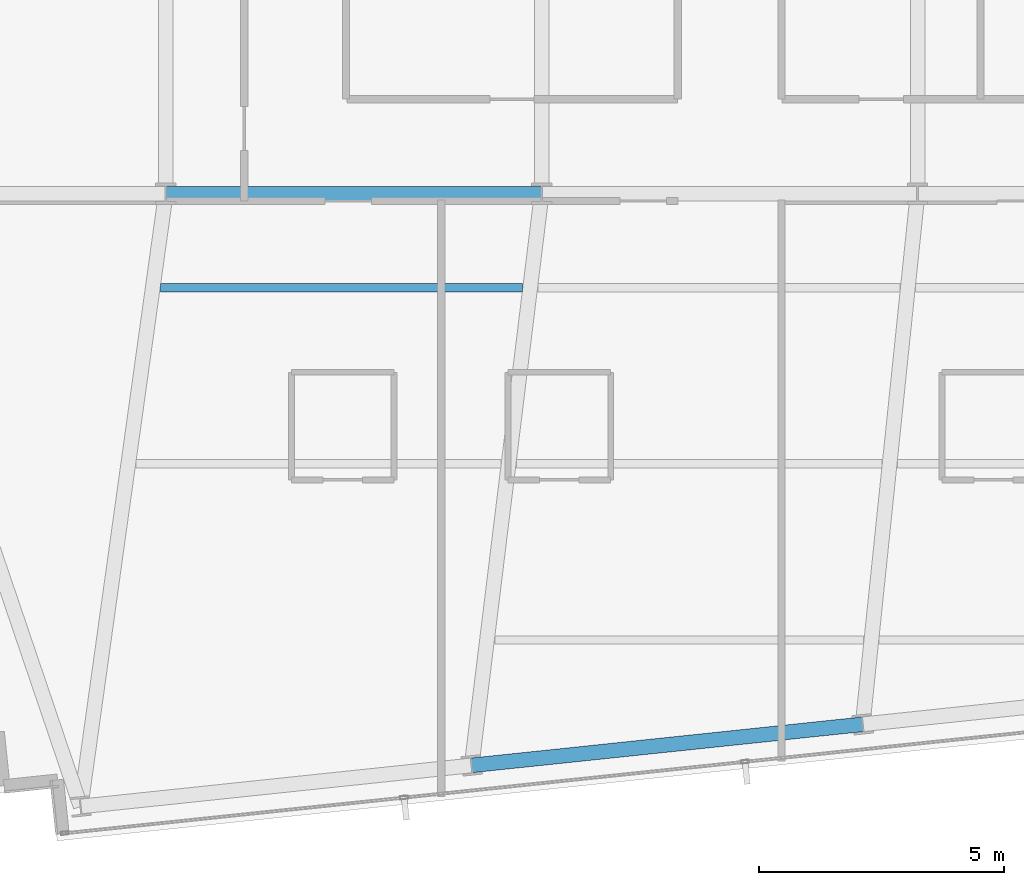
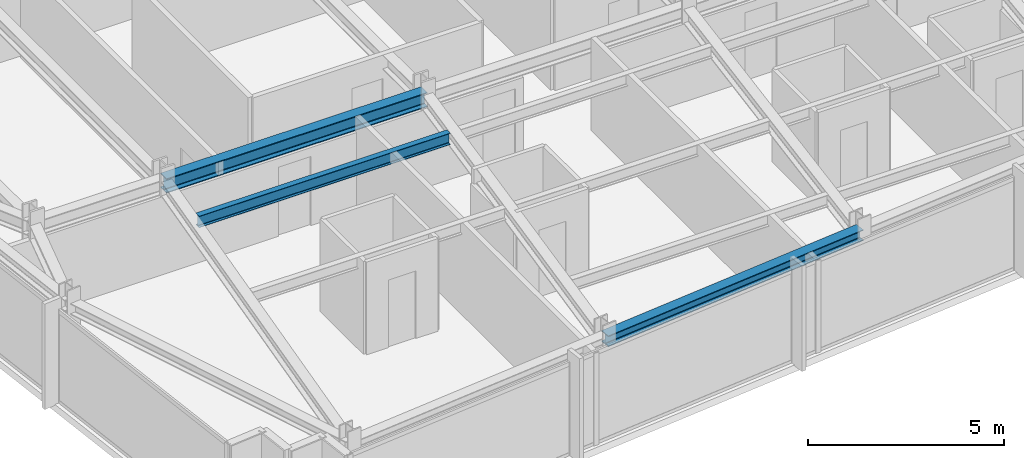
# One storey, part 6 of 33: 3 beams.
"""IFC4 building model written with IfcOpenShell, lengths in metres."""

from ifc_helpers import new_model, si_unit, direction, frame, origin, origin_2d, place, context, subcontext, project, spatial, i_section, extrude, material, material_profile, profile_set, type_object, element, save


model = new_model("IFC4")

# Units and contexts
model_context = context("Model", 3, precision=1e-05, world=origin(), true_north=direction((0.0, 1.0)))
body_context = subcontext(model_context, "Body", "Model", "MODEL_VIEW")
ifc_project = project(units=[si_unit("LENGTHUNIT", "METRE"), si_unit("AREAUNIT", "SQUARE_METRE"), si_unit("VOLUMEUNIT", "CUBIC_METRE"), si_unit("PLANEANGLEUNIT", "RADIAN"), si_unit("MASSUNIT", "GRAM", prefix="KILO")], contexts=[model_context])

# Site, building, storey
site_placement = place(None, origin())
site = spatial("IfcSite", under=ifc_project, at=site_placement, CompositionType="ELEMENT")
building_placement = place(site_placement, origin())
building = spatial("IfcBuilding", under=site, at=building_placement, Name="Yelkora Congress Tower", CompositionType="ELEMENT")
storey_placement = place(building_placement, frame((0.0, 0.0, 244.10009765625)))
storey = spatial("IfcBuildingStorey", under=building, at=storey_placement, Name="L68", CompositionType="ELEMENT", Elevation=244.10009765625)

# Beams
ifc_material = material(Name="Steel S355J2", Category="steel")
ifc_material_profile_1 = material_profile(ifc_material, i_section(OverallWidth=0.300048828125, OverallDepth=0.449951171875, WebThickness=0.013916015625, FlangeThickness=0.02587890625, FilletRadius=0.027099609375, at=origin_2d()), Name="HEB 450")
ifc_profile_set_1 = profile_set([ifc_material_profile_1], Name="Steel S355J2")
beam_type_1 = type_object("IfcBeamType", Name="BM-GIRD-HEB450", PredefinedType="BEAM", material=ifc_profile_set_1)
beam_1_placement = place(storey_placement, frame((23.0400390625, 25.199951171875, 2.65478515625), z_axis=(1.0, 0.0, 0.0), x_axis=(0.0, 1.0, 0.0)))
element("IfcBeam", 1, at=beam_1_placement, inside=storey, type_object=beam_type_1, Name="L68 Spine Grid D Girder 2", PredefinedType="BEAM", context=body_context, shape_type="SweptSolid", body=[
    extrude(i_section(OverallWidth=0.300048828125, OverallDepth=0.449951171875, WebThickness=0.013916015625, FlangeThickness=0.02587890625, FilletRadius=0.027099609375, at=origin_2d()), origin(), (0.0, 0.0, 1.0), 7.679931640625),
])
ifc_material_profile_2 = material_profile(ifc_material, i_section(OverallWidth=0.169921875, OverallDepth=0.360107421875, WebThickness=0.008056640625, FlangeThickness=0.0126953125, FilletRadius=0.01806640625, at=origin_2d()), Name="IPE 360")
ifc_profile_set_2 = profile_set([ifc_material_profile_2], Name="Steel S355J2")
beam_type_2 = type_object("IfcBeamType", Name="BM-JOIST-IPE360", PredefinedType="JOIST", material=ifc_profile_set_2)
beam_2_placement = place(storey_placement, frame((22.932861328125, 23.278564453125, 2.699951171875), z_axis=(1.0, 0.0, 0.0), x_axis=(0.0, 1.0, 0.0)))
element("IfcBeam", 2, at=beam_2_placement, inside=storey, type_object=beam_type_2, Name="L68 Composite Floor Joist 9", PredefinedType="JOIST", context=body_context, shape_type="SweptSolid", body=[
    extrude(i_section(OverallWidth=0.169921875, OverallDepth=0.360107421875, WebThickness=0.008056640625, FlangeThickness=0.0126953125, FilletRadius=0.01806640625, at=origin_2d()), origin(), (0.0, 0.0, 1.0), 7.3916015625),
])
ifc_material_profile_3 = material_profile(ifc_material, i_section(OverallWidth=0.300048828125, OverallDepth=0.340087890625, WebThickness=0.011962890625, FlangeThickness=0.021484375, FilletRadius=0.027099609375, at=origin_2d()), Name="HEB 340")
ifc_profile_set_3 = profile_set([ifc_material_profile_3], Name="Steel S355J2")
beam_type_3 = type_object("IfcBeamType", Name="BM-SPAN-HEB340", PredefinedType="SPANDREL", material=ifc_profile_set_3)
beam_3_placement = place(storey_placement, frame((29.288330078125, 13.518310546875, 2.7099609375), z_axis=(0.994523256947, 0.104515507904, 0.0), x_axis=(-0.104515507904, 0.994523256947, 0.0)))
element("IfcBeam", 3, at=beam_3_placement, inside=storey, type_object=beam_type_3, Name="L68 Perimeter Beam 4", PredefinedType="SPANDREL", context=body_context, shape_type="SweptSolid", body=[
    extrude(i_section(OverallWidth=0.300048828125, OverallDepth=0.340087890625, WebThickness=0.011962890625, FlangeThickness=0.021484375, FilletRadius=0.027099609375, at=origin_2d()), origin(), (0.0, 0.0, 1.0), 8.033203125),
])

save(model, "model.ifc")
